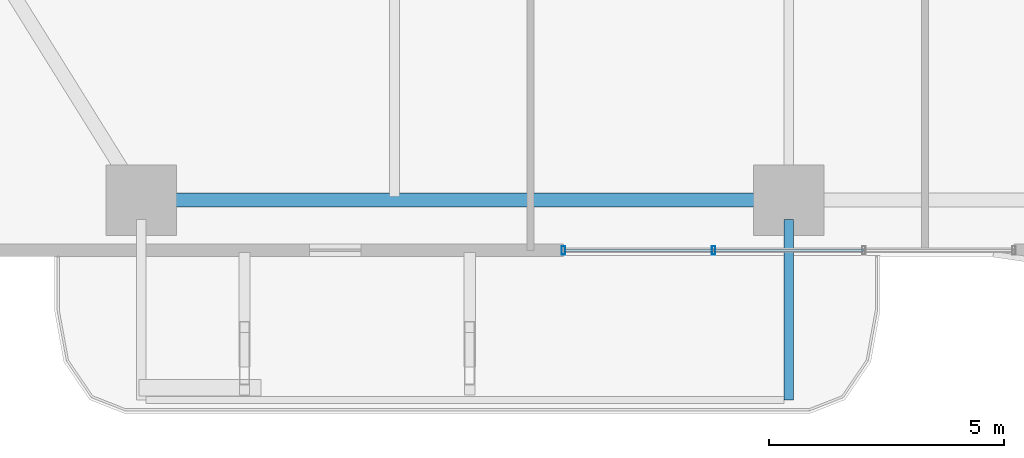
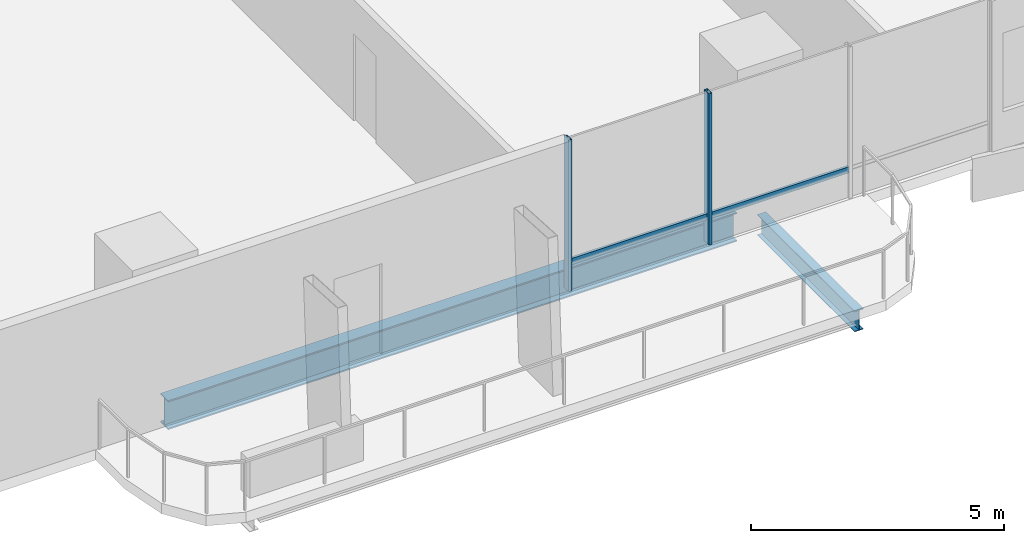
# One storey, part 2 of 23: 4 members, 2 beams, 1 element without a shape of its own.
"""IFC4 building model written with IfcOpenShell, lengths in metres."""

from ifc_helpers import new_model, si_unit, direction, frame, origin, origin_2d, place, context, subcontext, project, spatial, hollow_rectangle, i_section, extrude, material, layer, layer_set, material_profile, profile_set, type_object, element, aggregate, save


model = new_model("IFC4")

# Units and contexts
model_context = context("Model", 3, precision=1e-05, world=origin(), true_north=direction((0.0, 1.0)))
body_context = subcontext(model_context, "Body", "Model", "MODEL_VIEW")
ifc_project = project(units=[si_unit("LENGTHUNIT", "METRE"), si_unit("AREAUNIT", "SQUARE_METRE"), si_unit("VOLUMEUNIT", "CUBIC_METRE"), si_unit("PLANEANGLEUNIT", "RADIAN"), si_unit("MASSUNIT", "GRAM", prefix="KILO")], contexts=[model_context])

# Site, building, storey
site_placement = place(None, origin())
site = spatial("IfcSite", under=ifc_project, at=site_placement, CompositionType="ELEMENT")
building_placement = place(site_placement, origin())
building = spatial("IfcBuilding", under=site, at=building_placement, Name="Belovzor Exchange Tower", CompositionType="ELEMENT")
storey_placement = place(building_placement, frame((0.0, 0.0, 53.39990234375)))
storey = spatial("IfcBuildingStorey", under=building, at=storey_placement, Name="L12", CompositionType="ELEMENT", Elevation=53.39990234375)

# Beam
ifc_material_1 = material(Name="Steel S355", Category="steel")
ifc_material_profile_1 = material_profile(ifc_material_1, i_section(OverallWidth=0.199951171875, OverallDepth=0.5, WebThickness=0.01025390625, FlangeThickness=0.01611328125, at=origin_2d()))
ifc_profile_set_1 = profile_set([ifc_material_profile_1], Name="Steel S355")
beam_type_1 = type_object("IfcBeamType", Name="Planted Balcony Cantilever Beam IPE 500", PredefinedType="BEAM", material=ifc_profile_set_1)
beam_1_placement = place(storey_placement, frame((28.800048828125, 1.68798828125, -0.5), z_axis=(0.0, -1.0, 0.0), x_axis=(1.0, 0.0, 0.0)))
element("IfcBeam", 1, at=beam_1_placement, inside=storey, type_object=beam_type_1, Name="BC-500 Planted Balcony Cantilever Beam IPE 500", PredefinedType="BEAM", context=body_context, shape_type="SweptSolid", body=[
    extrude(i_section(OverallWidth=0.199951171875, OverallDepth=0.5, WebThickness=0.01025390625, FlangeThickness=0.01611328125, at=origin_2d()), origin(), (0.0, 0.0, 1.0), 3.85009765625),
])

# Curtain wall, members
ifc_material_2 = material(Name="Anodised Aluminium Framing", Category="aluminium")
ifc_layer = layer(ifc_material_2, 0.179931640625)
ifc_layer_set = layer_set([ifc_layer], Name="Anodised Aluminium Framing")
curtain_wall_type = type_object("IfcCurtainWallType", Name="Recessed Loggia Low-Iron Triple-Glazed Curtain Wall", PredefinedType="NOTDEFINED", material=ifc_layer_set)
curtain_wall_placement = place(storey_placement, origin())
curtain_wall = element("IfcCurtainWall", 2, at=curtain_wall_placement, inside=storey, type_object=curtain_wall_type, Name="CW3 Recessed Loggia Low-Iron Triple-Glazed Curtain Wall L12", PredefinedType="NOTDEFINED")
ifc_material_3 = material(Name="Steel S355", Category="steel")
ifc_material_profile_2 = material_profile(ifc_material_3, hollow_rectangle(XDim=0.074951171875, YDim=0.179931640625, WallThickness=0.0048828125, at=origin_2d()))
ifc_profile_set_2 = profile_set([ifc_material_profile_2], Name="Steel S355")
member_type_1 = type_object("IfcMemberType", Name="Thermally Broken Curtain Wall Mullion 180x75", PredefinedType="MULLION", material=ifc_profile_set_2)
member_1_placement = place(storey_placement, frame((27.199951171875, 1.030029296875, 0.0), z_axis=(0.0, 0.0, 1.0), x_axis=(-1.0, 0.0, 0.0)))
member_1 = element("IfcMember", 3, at=member_1_placement, type_object=member_type_1, Name="CW-M180 Curtain Wall Mullion 3", PredefinedType="MULLION", context=body_context, shape_type="SweptSolid", body=[
    extrude(hollow_rectangle(XDim=0.074951171875, YDim=0.179931640625, WallThickness=0.0048828125, at=origin_2d()), origin(), (0.0, 0.0, 1.0), 3.650146484375),
])
member_2_placement = place(storey_placement, frame((24.0, 1.030029296875, 0.0), z_axis=(0.0, 0.0, 1.0), x_axis=(-1.0, 0.0, 0.0)))
member_2 = element("IfcMember", 4, at=member_2_placement, type_object=member_type_1, Name="CW-M180 Curtain Wall Mullion 4", PredefinedType="MULLION", context=body_context, shape_type="SweptSolid", body=[
    extrude(hollow_rectangle(XDim=0.074951171875, YDim=0.179931640625, WallThickness=0.0048828125, at=origin_2d()), origin(), (0.0, 0.0, 1.0), 3.650146484375),
])
ifc_material_4 = material(Name="Steel S355", Category="steel")
ifc_material_profile_3 = material_profile(ifc_material_4, hollow_rectangle(XDim=0.06005859375, YDim=0.14990234375, WallThickness=0.00390625, at=origin_2d()))
ifc_profile_set_3 = profile_set([ifc_material_profile_3], Name="Steel S355")
member_type_2 = type_object("IfcMemberType", Name="Thermally Broken Curtain Wall Transom 150x60", PredefinedType="USERDEFINED", material=ifc_profile_set_3)
member_3_placement = place(storey_placement, frame((30.39208984375, 1.030029296875, 0.650146484375), z_axis=(-1.0, 0.0, 0.0), x_axis=(0.0, -1.0, 0.0)))
member_3 = element("IfcMember", 5, at=member_3_placement, type_object=member_type_2, Name="CW-T150 Curtain Wall Transom 2", ObjectType="TRANSOM", PredefinedType="USERDEFINED", context=body_context, shape_type="SweptSolid", body=[
    extrude(hollow_rectangle(XDim=0.06005859375, YDim=0.14990234375, WallThickness=0.00390625, at=origin_2d()), origin(), (0.0, 0.0, 1.0), 3.18408203125),
])
member_4_placement = place(storey_placement, frame((27.19189453125, 1.030029296875, 0.650146484375), z_axis=(-1.0, 0.0, 0.0), x_axis=(0.0, -1.0, 0.0)))
member_4 = element("IfcMember", 6, at=member_4_placement, type_object=member_type_2, Name="CW-T150 Curtain Wall Transom 3", ObjectType="TRANSOM", PredefinedType="USERDEFINED", context=body_context, shape_type="SweptSolid", body=[
    extrude(hollow_rectangle(XDim=0.06005859375, YDim=0.14990234375, WallThickness=0.00390625, at=origin_2d()), origin(), (0.0, 0.0, 1.0), 3.183837890625),
])
aggregate(curtain_wall, [member_1, member_2, member_3, member_4])

# Beam
ifc_material_5 = material(Name="Steel S355", Category="steel")
ifc_material_profile_4 = material_profile(ifc_material_5, i_section(OverallWidth=0.300048828125, OverallDepth=0.699951171875, WebThickness=0.01708984375, FlangeThickness=0.031982421875, at=origin_2d()))
ifc_profile_set_4 = profile_set([ifc_material_profile_4], Name="Steel S355")
beam_type_2 = type_object("IfcBeamType", Name="Zone 1 Primary Perimeter Girder HEB 700", PredefinedType="BEAM", material=ifc_profile_set_4)
beam_2_placement = place(storey_placement, frame((15.412109375, 2.10009765625, -0.599853515625), z_axis=(1.0, 0.0, 0.0), x_axis=(0.0, 1.0, 0.0)))
element("IfcBeam", 7, at=beam_2_placement, inside=storey, type_object=beam_type_2, Name="FG-Z1 Zone 1 Primary Perimeter Girder HEB 700", PredefinedType="BEAM", context=body_context, shape_type="SweptSolid", body=[
    extrude(i_section(OverallWidth=0.300048828125, OverallDepth=0.699951171875, WebThickness=0.01708984375, FlangeThickness=0.031982421875, at=origin_2d()), origin(), (0.0, 0.0, 1.0), 12.974853515625),
])

save(model, "model.ifc")
